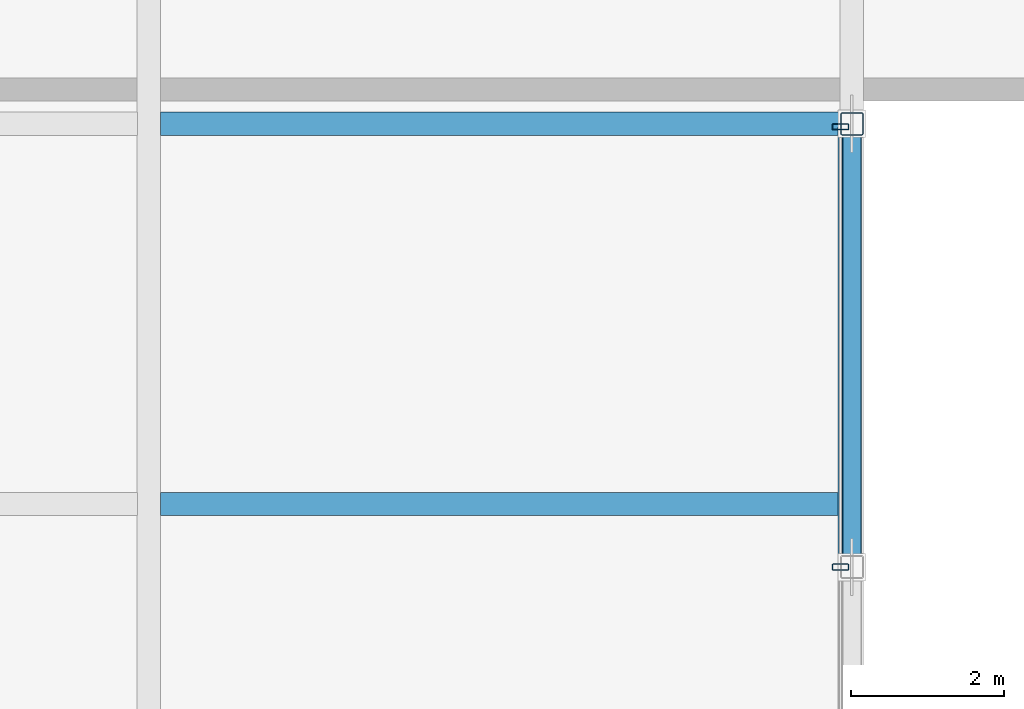
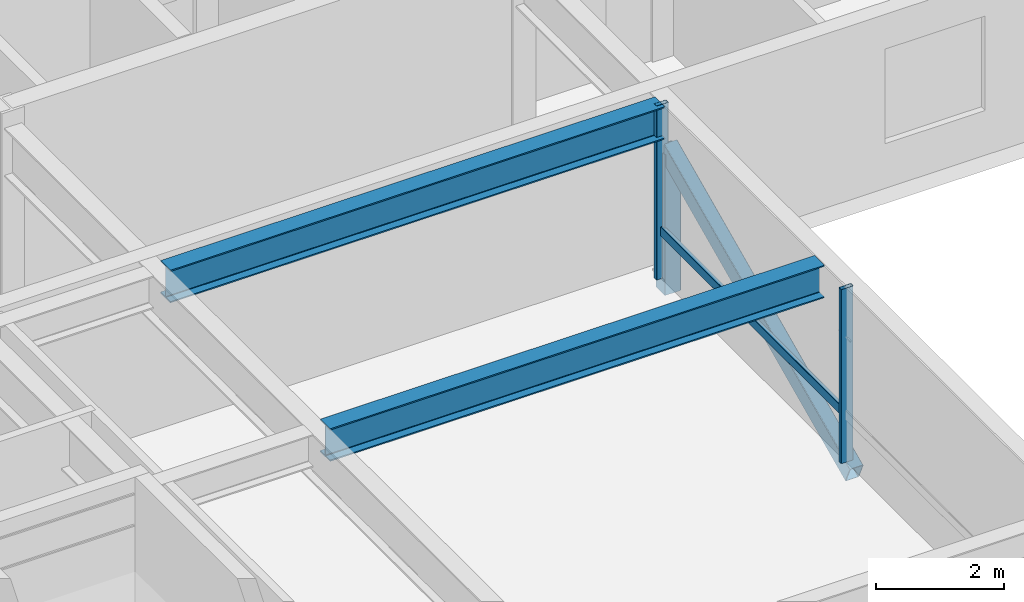
# One storey, part 12 of 36: 5 members, 2 beams, 1 element without a shape of its own.
"""IFC4 building model written with IfcOpenShell, lengths in metres."""

from ifc_helpers import new_model, si_unit, direction, frame, origin, origin_2d, place, context, subcontext, project, spatial, hollow_rectangle, i_section, extrude, material, layer, layer_set, material_profile, profile_set, type_object, element, aggregate, save


model = new_model("IFC4")

# Units and contexts
model_context = context("Model", 3, precision=1e-05, world=origin(), true_north=direction((0.0, 1.0)))
body_context = subcontext(model_context, "Body", "Model", "MODEL_VIEW")
ifc_project = project(units=[si_unit("LENGTHUNIT", "METRE"), si_unit("AREAUNIT", "SQUARE_METRE"), si_unit("VOLUMEUNIT", "CUBIC_METRE"), si_unit("PLANEANGLEUNIT", "RADIAN"), si_unit("MASSUNIT", "GRAM", prefix="KILO")], contexts=[model_context])

# Site, building, storey
site_placement = place(None, origin())
site = spatial("IfcSite", under=ifc_project, at=site_placement, CompositionType="ELEMENT")
building_placement = place(site_placement, origin())
building = spatial("IfcBuilding", under=site, at=building_placement, Name="Korimba Cascade Residences", CompositionType="ELEMENT")
storey_placement = place(building_placement, frame((0.0, 0.0, 146.5)))
storey = spatial("IfcBuildingStorey", under=building, at=storey_placement, Name="L42", CompositionType="ELEMENT", Elevation=146.5)

# Beams
ifc_material_1 = material(Name="Steel S355", Category="steel")
ifc_material_profile_1 = material_profile(ifc_material_1, i_section(OverallWidth=0.30712890625, OverallDepth=0.6201171875, WebThickness=0.01416015625, FlangeThickness=0.023681640625, FilletRadius=0.0166015625, at=origin_2d()), Name="Steel S355")
ifc_profile_set_1 = profile_set([ifc_material_profile_1], Name="Steel S355")
beam_type = type_object("IfcBeamType", Name="BM-STL-UB610A", PredefinedType="BEAM", material=ifc_profile_set_1)
for number, where, z_axis, x_axis, name in (
    (1, (103.052001953125, 45.52490234375, 3.0), (1.0, 0.0, 0.0), (0.0, 1.0, 0.0), "L42 Mid-Bridge Cross Beam 45.5"),
    (2, (103.052001953125, 50.5, 3.0), (1.0, 0.0, 0.0), (0.0, 1.0, 0.0), "L42 Mid-Bridge Cross Beam 50.5"),
):
    element("IfcBeam", number, at=place(storey_placement, frame(where, z_axis=z_axis, x_axis=x_axis)), inside=storey, type_object=beam_type, Name=name, PredefinedType="BEAM", context=body_context, shape_type="SweptSolid", body=[
        extrude(i_section(OverallWidth=0.30712890625, OverallDepth=0.6201171875, WebThickness=0.01416015625, FlangeThickness=0.023681640625, FilletRadius=0.0166015625, at=origin_2d()), origin(), (0.0, 0.0, 1.0), 8.89599609375),
    ])

# Curtain wall, members
ifc_material_2 = material(Name="Anodised Aluminium Curtain Wall Framing", Category="aluminium")
ifc_layer = layer(ifc_material_2, 0.179931640625)
ifc_layer_set = layer_set([ifc_layer], Name="Anodised Aluminium Curtain Wall Framing")
curtain_wall_type = type_object("IfcCurtainWallType", Name="CW-BRG-SYS3", PredefinedType="NOTDEFINED", material=ifc_layer_set)
curtain_wall_placement = place(storey_placement, origin())
curtain_wall = element("IfcCurtainWall", 3, at=curtain_wall_placement, inside=storey, type_object=curtain_wall_type, Name="L42 Curtain Wall CW-L42-BRG-E", PredefinedType="NOTDEFINED")
ifc_material_3 = material(Name="Anodised Aluminium Mullion", Category="aluminium")
ifc_material_profile_2 = material_profile(ifc_material_3, hollow_rectangle(XDim=0.080078125, YDim=0.219970703125, WallThickness=0.00634765625, InnerFilletRadius=0.00634765625, OuterFilletRadius=0.0126953125, at=origin_2d()), Name="Anodised Aluminium Mullion")
ifc_profile_set_2 = profile_set([ifc_material_profile_2], Name="Anodised Aluminium Mullion")
member_type_1 = type_object("IfcMemberType", Name="CWM-MUL-220", PredefinedType="MULLION", material=ifc_profile_set_2)
member_1_placement = place(storey_placement, frame((111.949951171875, 44.699951171875, 0.0), z_axis=(0.0, 0.0, 1.0), x_axis=(0.0, 1.0, 0.0)))
member_1 = element("IfcMember", 4, at=member_1_placement, type_object=member_type_1, Name="CW-L42-BRG-E Mullion 3", PredefinedType="MULLION", context=body_context, shape_type="SweptSolid", body=[
    extrude(hollow_rectangle(XDim=0.080078125, YDim=0.219970703125, WallThickness=0.00634765625, InnerFilletRadius=0.00634765625, OuterFilletRadius=0.0126953125, at=origin_2d()), origin(), (0.0, 0.0, 1.0), 3.31005859375),
])
member_2_placement = place(storey_placement, frame((111.949951171875, 50.4599609375, 0.0), z_axis=(0.0, 0.0, 1.0), x_axis=(0.0, 1.0, 0.0)))
member_2 = element("IfcMember", 5, at=member_2_placement, type_object=member_type_1, Name="CW-L42-BRG-E Mullion 4", PredefinedType="MULLION", context=body_context, shape_type="SweptSolid", body=[
    extrude(hollow_rectangle(XDim=0.080078125, YDim=0.219970703125, WallThickness=0.00634765625, InnerFilletRadius=0.00634765625, OuterFilletRadius=0.0126953125, at=origin_2d()), origin(), (0.0, 0.0, 1.0), 3.31005859375),
])
ifc_material_4 = material(Name="Anodised Aluminium Transom", Category="aluminium")
ifc_material_profile_3 = material_profile(ifc_material_4, hollow_rectangle(XDim=0.070068359375, YDim=0.179931640625, WallThickness=0.0048828125, InnerFilletRadius=0.0048828125, OuterFilletRadius=0.010009765625, at=origin_2d()), Name="Anodised Aluminium Transom")
ifc_profile_set_3 = profile_set([ifc_material_profile_3], Name="Anodised Aluminium Transom")
member_type_2 = type_object("IfcMemberType", Name="CWM-TRN-150", PredefinedType="USERDEFINED", material=ifc_profile_set_3)
member_3_placement = place(storey_placement, frame((111.949951171875, 44.699951171875, 0.89990234375), z_axis=(0.0, 1.0, 0.0), x_axis=(-1.0, 0.0, 0.0)))
member_3 = element("IfcMember", 6, at=member_3_placement, type_object=member_type_2, Name="CW-L42-BRG-E Transom 3", ObjectType="TRANSOM", PredefinedType="USERDEFINED", context=body_context, shape_type="SweptSolid", body=[
    extrude(hollow_rectangle(XDim=0.070068359375, YDim=0.179931640625, WallThickness=0.0048828125, InnerFilletRadius=0.0048828125, OuterFilletRadius=0.010009765625, at=origin_2d()), origin(), (0.0, 0.0, 1.0), 5.760009765625),
])
aggregate(curtain_wall, [member_1, member_2, member_3])

# Members
ifc_material_5 = material(Name="Steel S460", Category="steel")
ifc_material_profile_4 = material_profile(ifc_material_5, hollow_rectangle(XDim=0.25, YDim=0.35009765625, WallThickness=0.012451171875, InnerFilletRadius=0.012451171875, OuterFilletRadius=0.02490234375, at=origin_2d()), Name="Steel S460")
ifc_profile_set_4 = profile_set([ifc_material_profile_4], Name="Steel S460")
member_type_3 = type_object("IfcMemberType", Name="MEM-BRG-SHS350", PredefinedType="BRACE", material=ifc_profile_set_4)
member_4_placement = place(storey_placement, frame((112.10009765625, 44.699951171875, -0.2900390625), z_axis=(0.0, 0.9081740859, 0.418592677552), x_axis=(-1.0, 0.0, 0.0)))
element("IfcMember", 7, at=member_4_placement, inside=storey, type_object=member_type_3, Name="L42 Mid-Bridge Warren Diagonal E3", PredefinedType="BRACE", context=body_context, shape_type="SweptSolid", body=[
    extrude(hollow_rectangle(XDim=0.25, YDim=0.35009765625, WallThickness=0.012451171875, InnerFilletRadius=0.012451171875, OuterFilletRadius=0.02490234375, at=origin_2d()), origin(), (0.0, 0.0, 1.0), 6.386474609375),
])
ifc_material_profile_5 = material_profile(ifc_material_5, hollow_rectangle(XDim=0.300048828125, YDim=0.300048828125, WallThickness=0.012451171875, InnerFilletRadius=0.012451171875, OuterFilletRadius=0.02490234375, at=origin_2d()), Name="Steel S460")
ifc_profile_set_5 = profile_set([ifc_material_profile_5], Name="Steel S460")
member_type_4 = type_object("IfcMemberType", Name="MEM-BRG-STR300", PredefinedType="STRUT", material=ifc_profile_set_5)
member_5_placement = place(storey_placement, frame((112.10009765625, 50.5, -0.2900390625), z_axis=(0.0, 0.0, 1.0), x_axis=(1.0, 0.0, 0.0)))
element("IfcMember", 8, at=member_5_placement, inside=storey, type_object=member_type_4, Name="L42 Mid-Bridge Warren Web Post E4", PredefinedType="STRUT", context=body_context, shape_type="SweptSolid", body=[
    extrude(hollow_rectangle(XDim=0.300048828125, YDim=0.300048828125, WallThickness=0.012451171875, InnerFilletRadius=0.012451171875, OuterFilletRadius=0.02490234375, at=origin_2d()), origin(), (0.0, 0.0, 1.0), 2.67333984375),
])

save(model, "model.ifc")
